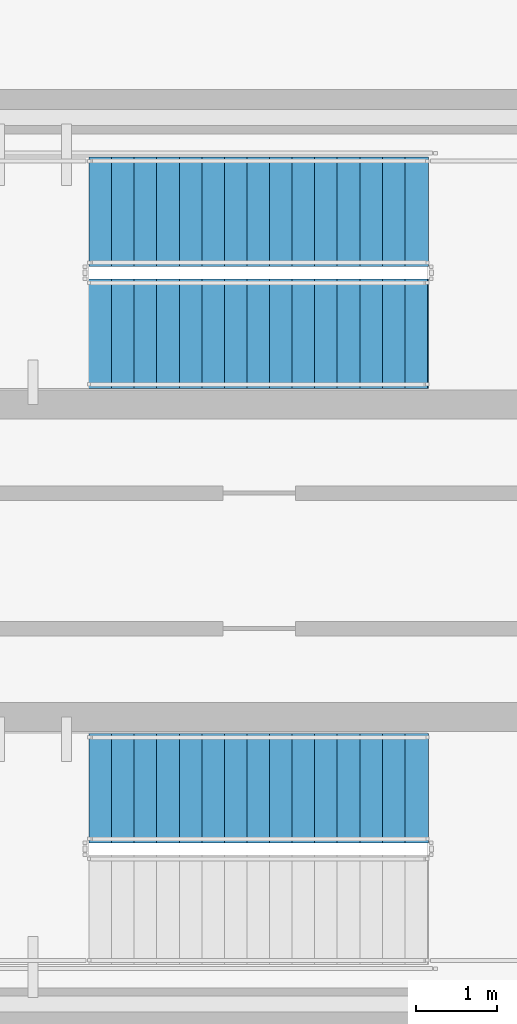
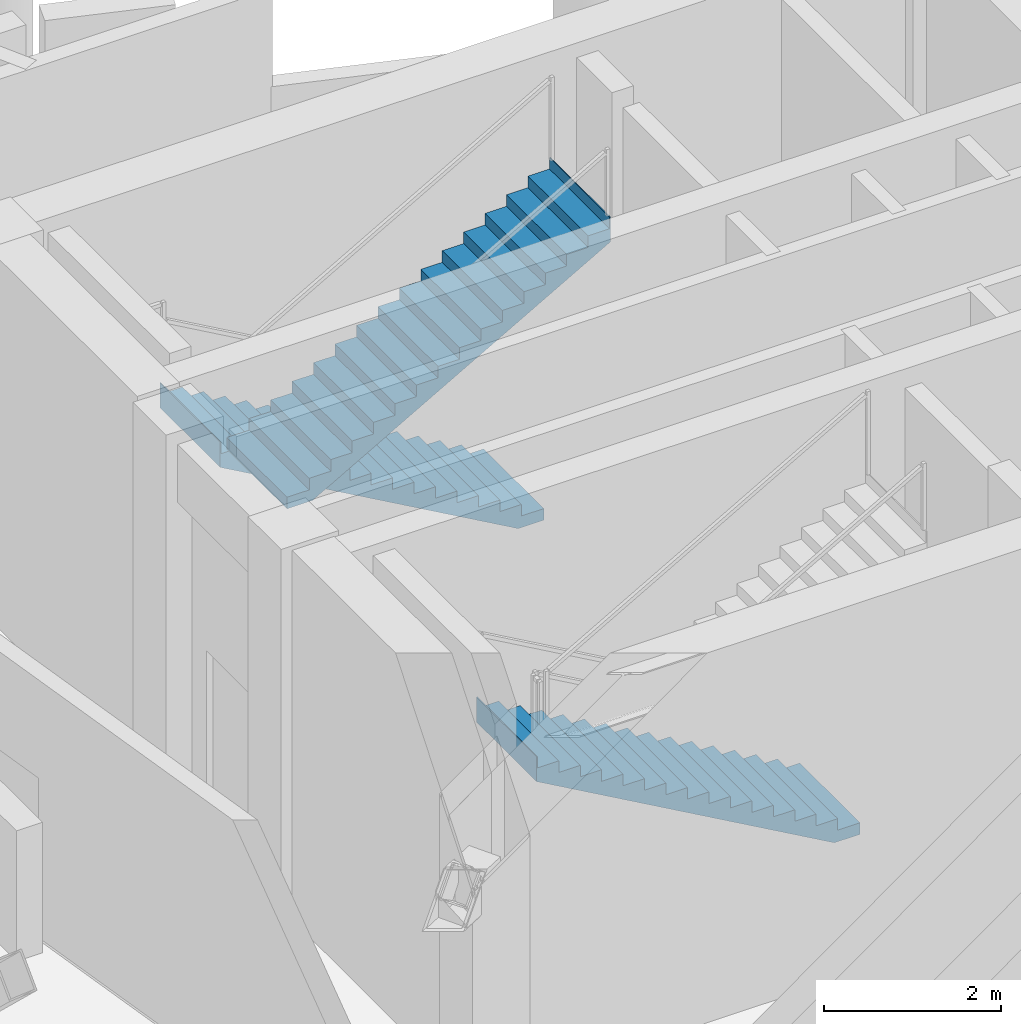
# One storey, part 5 of 9: 3 stair flights, 2 elements without a shape of their own.
"""IFC4 building model written with IfcOpenShell, lengths in metres."""

from ifc_helpers import new_model, si_unit, direction, frame, origin, place, context, subcontext, project, spatial, polyline, outline, extrude, material, type_object, element, aggregate, save


model = new_model("IFC4")

# Units and contexts
model_context = context("Model", 3, precision=1e-05, world=origin(), true_north=direction((0.0, 1.0)))
body_context = subcontext(model_context, "Body", "Model", "MODEL_VIEW")
ifc_project = project(units=[si_unit("LENGTHUNIT", "METRE"), si_unit("AREAUNIT", "SQUARE_METRE"), si_unit("VOLUMEUNIT", "CUBIC_METRE"), si_unit("PLANEANGLEUNIT", "RADIAN"), si_unit("MASSUNIT", "GRAM", prefix="KILO")], contexts=[model_context])

# Site, building, storey
site_placement = place(None, origin())
site = spatial("IfcSite", under=ifc_project, at=site_placement, CompositionType="ELEMENT")
building_placement = place(site_placement, origin())
building = spatial("IfcBuilding", under=site, at=building_placement, Name="Yunling Apex Tower", CompositionType="ELEMENT")
storey_placement = place(building_placement, frame((0.0, 0.0, 284.75)))
storey = spatial("IfcBuildingStorey", under=building, at=storey_placement, Name="RF8", CompositionType="ELEMENT", Elevation=284.75)

# Stair, stair flights
ifc_material = material(Name="Concrete C40", Category="concrete")
stair_type = type_object("IfcStairType", Name="ST-TWR-1", PredefinedType="HALF_TURN_STAIR", material=ifc_material)
stair_1_placement = place(storey_placement, origin())
stair_1 = element("IfcStair", 1, at=stair_1_placement, inside=storey, type_object=stair_type, Name="RF8 North Core Smokeproof Exit Stair ST-1", PredefinedType="HALF_TURN_STAIR")
stair_flight_type = type_object("IfcStairFlightType", Name="SFL-TWR-1", PredefinedType="STRAIGHT", material=ifc_material)
stair_flight_1_placement = place(storey_placement, frame((-0.010009765625, 4.330078125, 0.0), z_axis=(0.0, 0.0, 1.0), x_axis=(-1.0, 0.0, 0.0)))
stair_flight_1 = element("IfcStairFlight", 2, at=stair_flight_1_placement, type_object=stair_flight_type, Name="ST-1 flight 1", NumberOfRisers=16, NumberOfTreads=15, PredefinedType="STRAIGHT", RiserHeight=0.159375, TreadLength=0.28, context=body_context, shape_type="SweptSolid", body=[
    extrude(outline(polyline([(-0.011962890625, 0.0), (-0.011962890625, 0.159423828125), (0.0, 0.159423828125), (0.280029296875, 0.159423828125), (0.280029296875, 0.31884765625), (0.56005859375, 0.31884765625), (0.56005859375, 0.47802734375), (0.840087890625, 0.47802734375), (0.840087890625, 0.637451171875), (1.1201171875, 0.637451171875), (1.1201171875, 0.796875), (1.39990234375, 0.796875), (1.39990234375, 0.956298828125), (1.679931640625, 0.956298828125), (1.679931640625, 1.11572265625), (1.9599609375, 1.11572265625), (1.9599609375, 1.27490234375), (2.239990234375, 1.27490234375), (2.239990234375, 1.434326171875), (2.52001953125, 1.434326171875), (2.52001953125, 1.59375), (2.800048828125, 1.59375), (2.800048828125, 1.753173828125), (3.080078125, 1.753173828125), (3.080078125, 1.91259765625), (3.360107421875, 1.91259765625), (3.360107421875, 2.07177734375), (3.639892578125, 2.07177734375), (3.639892578125, 2.231201171875), (3.919921875, 2.231201171875), (3.919921875, 2.390625), (4.199951171875, 2.390625), (4.199951171875, 2.550048828125), (4.2119140625, 2.550048828125), (4.2119140625, 2.20654296875), (0.3232421875, 0.0), (-0.011962890625, 0.0)])), frame((0.0, 0.68017578125, 0.0), z_axis=(0.0, -1.0, 0.0), x_axis=(1.0, 0.0, 0.0)), (0.0, 0.0, 1.0), 1.360107421875),
])
stair_flight_2_placement = place(storey_placement, frame((-4.2099609375, 2.820068359375, 2.550048828125), z_axis=(0.0, 0.0, 1.0), x_axis=(1.0, 0.0, 0.0)))
stair_flight_2 = element("IfcStairFlight", 3, at=stair_flight_2_placement, type_object=stair_flight_type, Name="ST-1 flight 2", NumberOfRisers=16, NumberOfTreads=15, PredefinedType="STRAIGHT", RiserHeight=0.159375, TreadLength=0.28, context=body_context, shape_type="SweptSolid", body=[
    extrude(outline(polyline([(-0.011962890625, 0.0), (-0.011962890625, 0.159423828125), (0.0, 0.159423828125), (0.280029296875, 0.159423828125), (0.280029296875, 0.31884765625), (0.56005859375, 0.31884765625), (0.56005859375, 0.47802734375), (0.840087890625, 0.47802734375), (0.840087890625, 0.637451171875), (1.1201171875, 0.637451171875), (1.1201171875, 0.796875), (1.39990234375, 0.796875), (1.39990234375, 0.956298828125), (1.679931640625, 0.956298828125), (1.679931640625, 1.11572265625), (1.9599609375, 1.11572265625), (1.9599609375, 1.27490234375), (2.239990234375, 1.27490234375), (2.239990234375, 1.434326171875), (2.52001953125, 1.434326171875), (2.52001953125, 1.59375), (2.800048828125, 1.59375), (2.800048828125, 1.753173828125), (3.080078125, 1.753173828125), (3.080078125, 1.91259765625), (3.360107421875, 1.91259765625), (3.360107421875, 2.07177734375), (3.639892578125, 2.07177734375), (3.639892578125, 2.231201171875), (3.919921875, 2.231201171875), (3.919921875, 2.390625), (4.199951171875, 2.390625), (4.199951171875, 2.550048828125), (4.2119140625, 2.550048828125), (4.2119140625, 2.20654296875), (0.3232421875, 0.0), (-0.011962890625, 0.0)])), frame((0.0, 0.68017578125, 0.0), z_axis=(0.0, -1.0, 0.0), x_axis=(1.0, 0.0, 0.0)), (0.0, 0.0, 1.0), 1.360107421875),
])
aggregate(stair_1, [stair_flight_1, stair_flight_2])

# Stair, stair flight
stair_2_placement = place(storey_placement, origin())
stair_2 = element("IfcStair", 4, at=stair_2_placement, inside=storey, type_object=stair_type, Name="RF8 South Core Smokeproof Exit Stair ST-2", PredefinedType="HALF_TURN_STAIR")
stair_flight_3_placement = place(storey_placement, frame((-0.010009765625, -2.820068359375, 0.0), z_axis=(0.0, 0.0, 1.0), x_axis=(-1.0, 0.0, 0.0)))
stair_flight_3 = element("IfcStairFlight", 5, at=stair_flight_3_placement, type_object=stair_flight_type, Name="ST-2 flight 1", NumberOfRisers=16, NumberOfTreads=15, PredefinedType="STRAIGHT", RiserHeight=0.159375, TreadLength=0.28, context=body_context, shape_type="SweptSolid", body=[
    extrude(outline(polyline([(-0.011962890625, 0.0), (-0.011962890625, 0.159423828125), (0.0, 0.159423828125), (0.280029296875, 0.159423828125), (0.280029296875, 0.31884765625), (0.56005859375, 0.31884765625), (0.56005859375, 0.47802734375), (0.840087890625, 0.47802734375), (0.840087890625, 0.637451171875), (1.1201171875, 0.637451171875), (1.1201171875, 0.796875), (1.39990234375, 0.796875), (1.39990234375, 0.956298828125), (1.679931640625, 0.956298828125), (1.679931640625, 1.11572265625), (1.9599609375, 1.11572265625), (1.9599609375, 1.27490234375), (2.239990234375, 1.27490234375), (2.239990234375, 1.434326171875), (2.52001953125, 1.434326171875), (2.52001953125, 1.59375), (2.800048828125, 1.59375), (2.800048828125, 1.753173828125), (3.080078125, 1.753173828125), (3.080078125, 1.91259765625), (3.360107421875, 1.91259765625), (3.360107421875, 2.07177734375), (3.639892578125, 2.07177734375), (3.639892578125, 2.231201171875), (3.919921875, 2.231201171875), (3.919921875, 2.390625), (4.199951171875, 2.390625), (4.199951171875, 2.550048828125), (4.2119140625, 2.550048828125), (4.2119140625, 2.20654296875), (0.3232421875, 0.0), (-0.011962890625, 0.0)])), frame((0.0, 0.68017578125, 0.0), z_axis=(0.0, -1.0, 0.0), x_axis=(1.0, 0.0, 0.0)), (0.0, 0.0, 1.0), 1.360107421875),
])
aggregate(stair_2, [stair_flight_3])

save(model, "model.ifc")
